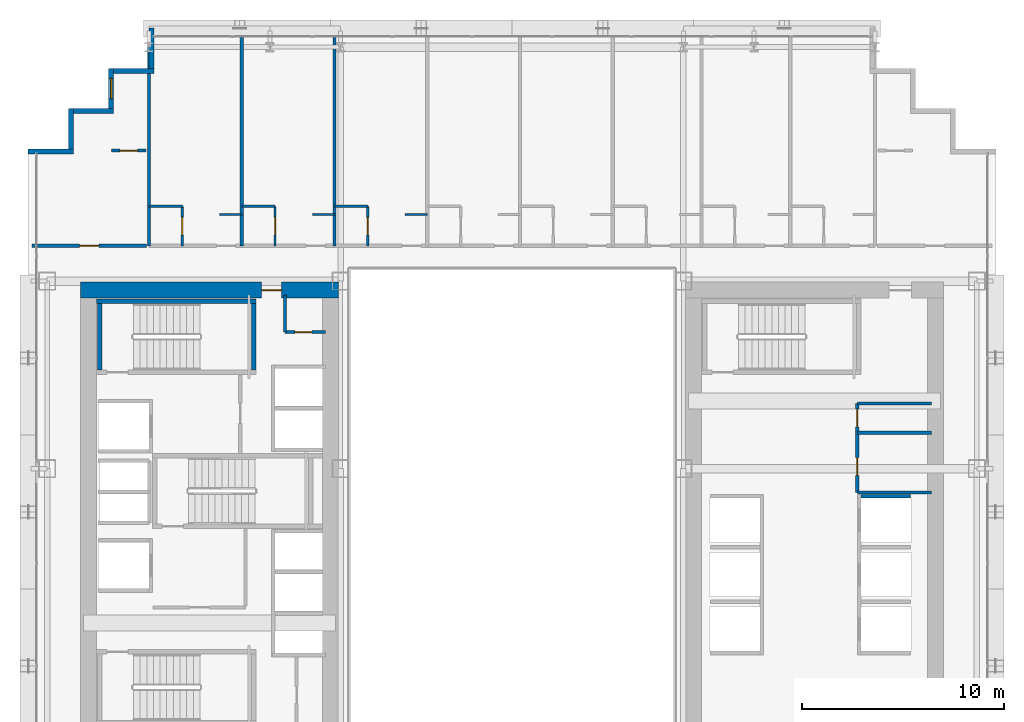
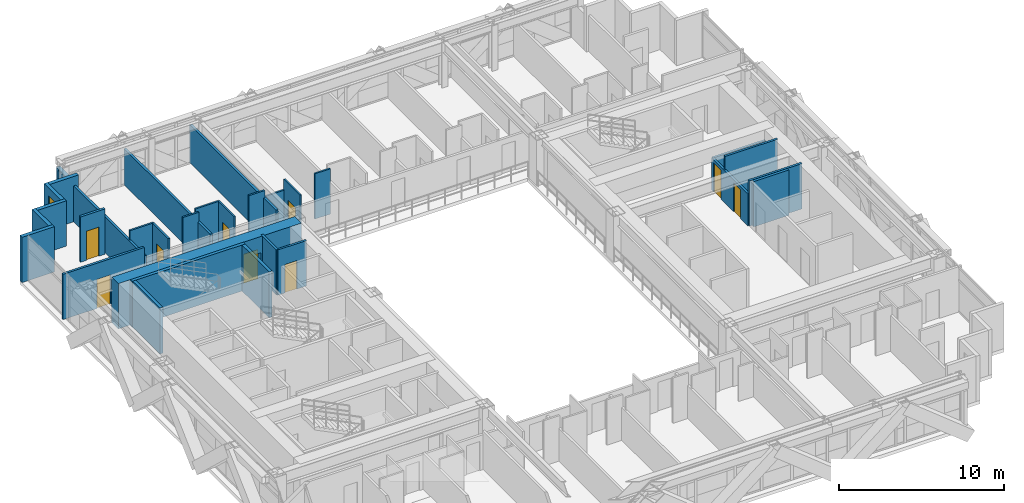
# One storey, part 30 of 36: 31 walls, 9 doors, 1 window, 10 openings.
"""IFC4 building model written with IfcOpenShell, lengths in metres."""

from ifc_helpers import new_model, si_unit, direction, frame, frame_2d, origin, place, context, subcontext, project, spatial, rectangle, extrude, source, transform, mapped, material, layer, layer_set, type_object, element, fill, save


model = new_model("IFC4")

# Units and contexts
model_context = context("Model", 3, precision=1e-05, world=origin(), true_north=direction((0.0, 1.0)))
body_context = subcontext(model_context, "Body", "Model", "MODEL_VIEW")
ifc_project = project(units=[si_unit("LENGTHUNIT", "METRE"), si_unit("AREAUNIT", "SQUARE_METRE"), si_unit("VOLUMEUNIT", "CUBIC_METRE"), si_unit("PLANEANGLEUNIT", "RADIAN"), si_unit("MASSUNIT", "GRAM", prefix="KILO")], contexts=[model_context])

# Site, building, storey
site_placement = place(None, origin())
site = spatial("IfcSite", under=ifc_project, at=site_placement, CompositionType="ELEMENT")
building_placement = place(site_placement, origin())
building = spatial("IfcBuilding", under=site, at=building_placement, Name="Ocotamira Hotel", CompositionType="ELEMENT")
storey_placement = place(building_placement, frame((0.0, 0.0, 42.0)))
storey = spatial("IfcBuildingStorey", under=building, at=storey_placement, Name="L09", CompositionType="ELEMENT", Elevation=42.0)

# Wall, opening, door
ifc_material_1 = material(Name="Concrete C60/75", Category="concrete")
ifc_layer_1 = layer(ifc_material_1, 0.800048828125)
ifc_layer_set_1 = layer_set([ifc_layer_1], Name="Concrete C60/75")
wall_type_1 = type_object("IfcWallType", Name="WL-CORE-800", PredefinedType="SHEAR", material=ifc_layer_set_1)
wall_1_placement = place(storey_placement, frame((10.60009765625, 37.0, 0.0), z_axis=(0.0, 0.0, 1.0), x_axis=(1.0, 0.0, 0.0)))
wall_1 = element("IfcWall", 1, at=wall_1_placement, inside=storey, type_object=wall_type_1, Name="L09 Shear Core Wall WCORE-N", PredefinedType="SHEAR", context=body_context, shape_type="SweptSolid", body=[
    extrude(rectangle(XDim=12.7998046875, YDim=0.800048828125, at=frame_2d((6.39990234375, 0.0))), origin(), (0.0, 0.0, 1.0), 3.35009765625),
])
opening_1_placement = place(wall_1_placement, frame((8.97998046875, 0.0, 0.0)))
opening_1 = element("IfcOpeningElement", 2, at=opening_1_placement, cuts=wall_1, Name="Opening D-FR2", PredefinedType="OPENING", context=body_context, shape_type="SweptSolid", body=[
    extrude(rectangle(XDim=1.0, YDim=2.14990234375, at=frame_2d((0.5, 1.074951171875))), frame((0.0, 0.41015625, 0.0), z_axis=(0.0, -1.0, 0.0), x_axis=(1.0, 0.0, 0.0)), (0.0, 0.0, 1.0), 0.820068359375),
])
ifc_material_2 = material(Name="Fire-rated acoustic timber-veneer door", Category="wood")
door_type_1 = type_object("IfcDoorType", Name="DR-FIRE-1000", OperationType="NOTDEFINED", PredefinedType="DOOR", material=ifc_material_2)
shared_shape_1 = source(origin(), body_context, "Body", "SweptSolid", [
    extrude(rectangle(XDim=1.0, YDim=2.14990234375, at=frame_2d((0.5, 1.074951171875))), frame((0.0, 0.02490234375, 0.0), z_axis=(0.0, -1.0, 0.0), x_axis=(1.0, 0.0, 0.0)), (0.0, 0.0, 1.0), 0.050048828125),
])
door_1_placement = place(opening_1_placement, origin())
door_1 = element("IfcDoor", 3, at=door_1_placement, inside=storey, type_object=door_type_1, Name="L09 Door ID-L09-WLOB-N-D [ID-L09-WLOB-N-D]", OperationType="SINGLE_SWING_RIGHT", OverallHeight=2.14990234375, OverallWidth=1.0, PredefinedType="DOOR", context=body_context, shape_type="MappedRepresentation", body=[
    mapped(shared_shape_1, transform((0.0, 0.0, 0.0), scale=1.0)),
])
fill(opening_1, door_1)

# Walls
ifc_material_3 = material(Name="Precast concrete C45/55", Category="concrete")
ifc_layer_2 = layer(ifc_material_3, 0.25)
ifc_layer_set_2 = layer_set([ifc_layer_2], Name="Precast concrete C45/55")
wall_type_2 = type_object("IfcWallType", Name="WL-EXT-SER-250", PredefinedType="SOLIDWALL", material=ifc_layer_set_2)
wall_2_placement = place(storey_placement, frame((14.125, 50.0, 0.0), z_axis=(0.0, 0.0, 1.0), x_axis=(0.0, -1.0, 0.0)))
element("IfcWall", 4, at=wall_2_placement, inside=storey, type_object=wall_type_2, Name="L09 Serrated Corner Wall 13", PredefinedType="SOLIDWALL", context=body_context, shape_type="SweptSolid", body=[
    extrude(rectangle(XDim=2.0, YDim=0.25, at=frame_2d((1.0, 0.0))), origin(), (0.0, 0.0, 1.0), 2.656982421875),
])
wall_3_placement = place(storey_placement, frame((14.25, 47.875, 0.0), z_axis=(0.0, 0.0, 1.0), x_axis=(-1.0, 0.0, 0.0)))
element("IfcWall", 5, at=wall_3_placement, inside=storey, type_object=wall_type_2, Name="L09 Serrated Corner Wall 14", PredefinedType="SOLIDWALL", context=body_context, shape_type="SweptSolid", body=[
    extrude(rectangle(XDim=2.0, YDim=0.25, at=frame_2d((1.0, 0.0))), origin(), (0.0, 0.0, 1.0), 3.35009765625),
])

# Wall, opening, window
wall_4_placement = place(storey_placement, frame((12.125, 48.0, 0.0), z_axis=(0.0, 0.0, 1.0), x_axis=(0.0, -1.0, 0.0)))
wall_4 = element("IfcWall", 6, at=wall_4_placement, inside=storey, type_object=wall_type_2, Name="L09 Serrated Corner Wall 15", PredefinedType="SOLIDWALL", context=body_context, shape_type="SweptSolid", body=[
    extrude(rectangle(XDim=2.0, YDim=0.25, at=frame_2d((1.0, 0.0))), origin(), (0.0, 0.0, 1.0), 3.35009765625),
])
opening_2_placement = place(wall_4_placement, frame((0.5, 0.0, 0.85009765625)))
opening_2 = element("IfcOpeningElement", 7, at=opening_2_placement, cuts=wall_4, Name="Opening WN-2", PredefinedType="OPENING", context=body_context, shape_type="SweptSolid", body=[
    extrude(rectangle(XDim=1.0, YDim=1.89990234375, at=frame_2d((0.5, 0.949951171875))), frame((0.0, 0.135009765625, 0.0), z_axis=(0.0, -1.0, 0.0), x_axis=(1.0, 0.0, 0.0)), (0.0, 0.0, 1.0), 0.27001953125),
])
ifc_material_4 = material(Name="Double-silver low-E solar glass", Category="glass")
window_type = type_object("IfcWindowType", Name="WIN-SER-1100", PartitioningType="SINGLE_PANEL", PredefinedType="WINDOW", material=ifc_material_4)
shared_shape_2 = source(origin(), body_context, "Body", "SweptSolid", [
    extrude(rectangle(XDim=1.0, YDim=1.89990234375, at=frame_2d((0.5, 0.949951171875))), frame((0.0, 0.030029296875, 0.0), z_axis=(0.0, -1.0, 0.0), x_axis=(1.0, 0.0, 0.0)), (0.0, 0.0, 1.0), 0.06005859375),
])
window_placement = place(opening_2_placement, origin())
window = element("IfcWindow", 8, at=window_placement, inside=storey, type_object=window_type, Name="L09 Serrated Corner Window 15", OverallHeight=1.89990234375, OverallWidth=1.0, PartitioningType="SINGLE_PANEL", PredefinedType="WINDOW", context=body_context, shape_type="MappedRepresentation", body=[
    mapped(shared_shape_2, transform((0.0, 0.0, 0.0), scale=1.0)),
])
fill(opening_2, window)

# Walls
for number, where, z_axis, x_axis, name in (
    (9, (12.25, 45.875, 0.0), (0.0, 0.0, 1.0), (-1.0, 0.0, 0.0), "L09 Serrated Corner Wall 16"),
    (10, (10.125, 46.0, 0.0), (0.0, 0.0, 1.0), (0.0, -1.0, 0.0), "L09 Serrated Corner Wall 17"),
):
    element("IfcWall", number, at=place(storey_placement, frame(where, z_axis=z_axis, x_axis=x_axis)), inside=storey, type_object=wall_type_2, Name=name, PredefinedType="SOLIDWALL", context=body_context, shape_type="SweptSolid", body=[
        extrude(rectangle(XDim=2.0, YDim=0.25, at=frame_2d((1.0, 0.0))), origin(), (0.0, 0.0, 1.0), 3.35009765625),
    ])
wall_5_placement = place(storey_placement, frame((10.25, 43.875, 0.0), z_axis=(0.0, 0.0, 1.0), x_axis=(-1.0, 0.0, 0.0)))
element("IfcWall", 11, at=wall_5_placement, inside=storey, type_object=wall_type_2, Name="L09 Serrated Corner Wall 18", PredefinedType="SOLIDWALL", context=body_context, shape_type="SweptSolid", body=[
    extrude(rectangle(XDim=2.25, YDim=0.25, at=frame_2d((1.125, 0.0))), origin(), (0.0, 0.0, 1.0), 3.35009765625),
])
ifc_material_5 = material(Name="Acoustic double-layer fire gypsum board partition", Category="gypsum")
ifc_layer_3 = layer(ifc_material_5, 0.159912109375)
ifc_layer_set_3 = layer_set([ifc_layer_3], Name="Acoustic double-layer fire gypsum board partition")
wall_type_3 = type_object("IfcWallType", Name="WL-FIRE-160", PredefinedType="PARTITIONING", material=ifc_layer_set_3)
wall_6_placement = place(storey_placement, frame((49.1201171875, 26.969970703125, 0.0), z_axis=(0.0, 0.0, 1.0), x_axis=(1.0, 0.0, 0.0)))
element("IfcWall", 12, at=wall_6_placement, inside=storey, type_object=wall_type_3, Name="L09 Interior Wall PW-L09-EC-NE-S", PredefinedType="PARTITIONING", context=body_context, shape_type="SweptSolid", body=[
    extrude(rectangle(XDim=3.679931640625, YDim=0.159912109375, at=frame_2d((1.83984375, 0.0))), origin(), (0.0, 0.0, 1.0), 3.35009765625),
])
wall_7_placement = place(storey_placement, frame((49.1201171875, 31.3798828125, 0.0), z_axis=(0.0, 0.0, 1.0), x_axis=(1.0, 0.0, 0.0)))
element("IfcWall", 13, at=wall_7_placement, inside=storey, type_object=wall_type_3, Name="L09 Interior Wall PW-L09-EC-NE-N", PredefinedType="PARTITIONING", context=body_context, shape_type="SweptSolid", body=[
    extrude(rectangle(XDim=3.679931640625, YDim=0.159912109375, at=frame_2d((1.83984375, 0.0))), origin(), (0.0, 0.0, 1.0), 2.360107421875),
])

# Wall, openings, doors
wall_8_placement = place(storey_placement, frame((49.1201171875, 26.969970703125, 0.0), z_axis=(0.0, 0.0, 1.0), x_axis=(0.0, 1.0, 0.0)))
wall_8 = element("IfcWall", 14, at=wall_8_placement, inside=storey, type_object=wall_type_3, Name="L09 Interior Wall PW-L09-EC-NE-W", PredefinedType="PARTITIONING", context=body_context, shape_type="SweptSolid", body=[
    extrude(rectangle(XDim=4.409912109375, YDim=0.159912109375, at=frame_2d((2.205078125, 0.0))), origin(), (0.0, 0.0, 1.0), 2.360107421875),
])
opening_3_placement = place(wall_8_placement, frame((0.85009765625, 0.0, 0.0)))
opening_3 = element("IfcOpeningElement", 15, at=opening_3_placement, cuts=wall_8, Name="Opening D-SV2", PredefinedType="OPENING", context=body_context, shape_type="SweptSolid", body=[
    extrude(rectangle(XDim=0.8798828125, YDim=2.14990234375, at=frame_2d((0.43994140625, 1.074951171875))), frame((0.0, 0.08984375, 0.0), z_axis=(0.0, -1.0, 0.0), x_axis=(1.0, 0.0, 0.0)), (0.0, 0.0, 1.0), 0.179931640625),
])
opening_4_placement = place(wall_8_placement, frame((3.25, 0.0, 0.0)))
opening_4 = element("IfcOpeningElement", 16, at=opening_4_placement, cuts=wall_8, Name="Opening D-SV2", PredefinedType="OPENING", context=body_context, shape_type="SweptSolid", body=[
    extrude(rectangle(XDim=0.8798828125, YDim=2.14990234375, at=frame_2d((0.43994140625, 1.074951171875))), frame((0.0, 0.08984375, 0.0), z_axis=(0.0, -1.0, 0.0), x_axis=(1.0, 0.0, 0.0)), (0.0, 0.0, 1.0), 0.179931640625),
])
ifc_material_6 = material(Name="Fire-rated painted steel service door", Category="steel")
door_type_2 = type_object("IfcDoorType", Name="DR-SERV-880", OperationType="NOTDEFINED", PredefinedType="DOOR", material=ifc_material_6)
shared_shape_3 = source(origin(), body_context, "Body", "SweptSolid", [
    extrude(rectangle(XDim=0.8798828125, YDim=2.14990234375, at=frame_2d((0.43994140625, 1.074951171875))), frame((0.0, 0.02490234375, 0.0), z_axis=(0.0, -1.0, 0.0), x_axis=(1.0, 0.0, 0.0)), (0.0, 0.0, 1.0), 0.050048828125),
])
door_2_placement = place(opening_3_placement, origin())
door_2 = element("IfcDoor", 17, at=door_2_placement, inside=storey, type_object=door_type_2, Name="L09 Door ID-L09-EC-NE-D1 [ID-L09-EC-NE-D1]", OperationType="SINGLE_SWING_LEFT", OverallHeight=2.14990234375, OverallWidth=0.8798828125, PredefinedType="DOOR", context=body_context, shape_type="MappedRepresentation", body=[
    mapped(shared_shape_3, transform((0.0, 0.0, 0.0), scale=1.0)),
])
fill(opening_3, door_2)
door_3_placement = place(opening_4_placement, origin())
door_3 = element("IfcDoor", 18, at=door_3_placement, inside=storey, type_object=door_type_2, Name="L09 Door ID-L09-EC-NE-D2 [ID-L09-EC-NE-D2]", OperationType="SINGLE_SWING_RIGHT", OverallHeight=2.14990234375, OverallWidth=0.8798828125, PredefinedType="DOOR", context=body_context, shape_type="MappedRepresentation", body=[
    mapped(shared_shape_3, transform((0.0, 0.0, 0.0), scale=1.0)),
])
fill(opening_4, door_3)

# Wall, opening, door
wall_9_placement = place(storey_placement, frame((8.199951171875, 39.199951171875, 0.0), z_axis=(0.0, 0.0, 1.0), x_axis=(1.0, 0.0, 0.0)))
wall_9 = element("IfcWall", 19, at=wall_9_placement, inside=storey, type_object=wall_type_3, Name="L09 Interior Wall PW-L09-Z1A-CNW-CW", PredefinedType="PARTITIONING", context=body_context, shape_type="SweptSolid", body=[
    extrude(rectangle(XDim=5.679931640625, YDim=0.159912109375, at=frame_2d((2.83984375, 0.0))), origin(), (0.0, 0.0, 1.0), 3.35009765625),
])
opening_5_placement = place(wall_9_placement, frame((2.360107421875, 0.0, 0.0)))
opening_5 = element("IfcOpeningElement", 20, at=opening_5_placement, cuts=wall_9, Name="Opening D-SV4", PredefinedType="OPENING", context=body_context, shape_type="SweptSolid", body=[
    extrude(rectangle(XDim=0.9599609375, YDim=2.14990234375, at=frame_2d((0.47998046875, 1.074951171875))), frame((0.0, 0.08984375, 0.0), z_axis=(0.0, -1.0, 0.0), x_axis=(1.0, 0.0, 0.0)), (0.0, 0.0, 1.0), 0.179931640625),
])
ifc_material_7 = material(Name="Fire-rated accessible walnut salon door", Category="wood")
door_type_3 = type_object("IfcDoorType", Name="DR-SERV-960", OperationType="NOTDEFINED", PredefinedType="DOOR", material=ifc_material_7)
shared_shape_4 = source(origin(), body_context, "Body", "SweptSolid", [
    extrude(rectangle(XDim=0.9599609375, YDim=2.14990234375, at=frame_2d((0.47998046875, 1.074951171875))), frame((0.0, 0.02490234375, 0.0), z_axis=(0.0, -1.0, 0.0), x_axis=(1.0, 0.0, 0.0)), (0.0, 0.0, 1.0), 0.050048828125),
])
door_4_placement = place(opening_5_placement, origin())
door_4 = element("IfcDoor", 21, at=door_4_placement, inside=storey, type_object=door_type_3, Name="L09 Door ID-L09-Z1A-CNW-CD [ID-L09-Z1A-CNW-CD]", OperationType="SINGLE_SWING_LEFT", OverallHeight=2.14990234375, OverallWidth=0.9599609375, PredefinedType="DOOR", context=body_context, shape_type="MappedRepresentation", body=[
    mapped(shared_shape_4, transform((0.0, 0.0, 0.0), scale=1.0)),
])
fill(opening_5, door_4)

wall_10_placement = place(storey_placement, frame((12.14990234375, 43.919921875, 0.0), z_axis=(0.0, 0.0, 1.0), x_axis=(1.0, 0.0, 0.0)))
wall_10 = element("IfcWall", 22, at=wall_10_placement, inside=storey, type_object=wall_type_3, Name="L09 Interior Wall PW-L09-Z1A-CNW2-CW", PredefinedType="PARTITIONING", context=body_context, shape_type="SweptSolid", body=[
    extrude(rectangle(XDim=1.7001953125, YDim=0.159912109375, at=frame_2d((0.85009765625, 0.0))), origin(), (0.0, 0.0, 1.0), 3.35009765625),
])
opening_6_placement = place(wall_10_placement, frame((0.409912109375, 0.0, 0.0)))
opening_6 = element("IfcOpeningElement", 23, at=opening_6_placement, cuts=wall_10, Name="Opening D-SV2", PredefinedType="OPENING", context=body_context, shape_type="SweptSolid", body=[
    extrude(rectangle(XDim=0.8798828125, YDim=2.14990234375, at=frame_2d((0.43994140625, 1.074951171875))), frame((0.0, 0.08984375, 0.0), z_axis=(0.0, -1.0, 0.0), x_axis=(1.0, 0.0, 0.0)), (0.0, 0.0, 1.0), 0.179931640625),
])
door_5_placement = place(opening_6_placement, origin())
door_5 = element("IfcDoor", 24, at=door_5_placement, inside=storey, type_object=door_type_2, Name="L09 Door ID-L09-Z1A-CNW2-CD [ID-L09-Z1A-CNW2-CD]", OperationType="SINGLE_SWING_LEFT", OverallHeight=2.14990234375, OverallWidth=0.8798828125, PredefinedType="DOOR", context=body_context, shape_type="MappedRepresentation", body=[
    mapped(shared_shape_3, transform((0.0, 0.0, 0.0), scale=1.0)),
])
fill(opening_6, door_5)

ifc_material_8 = material(Name="Moisture-resistant en-suite tile and gypsum partition", Category="gypsum")
ifc_layer_4 = layer(ifc_material_8, 0.1201171875)
ifc_layer_set_4 = layer_set([ifc_layer_4], Name="Moisture-resistant en-suite tile and gypsum partition")
wall_type_4 = type_object("IfcWallType", Name="WL-PART-120", PredefinedType="PARTITIONING", material=ifc_layer_set_4)
wall_11_placement = place(storey_placement, frame((15.64990234375, 39.199951171875, 0.0), z_axis=(0.0, 0.0, 1.0), x_axis=(0.0, 1.0, 0.0)))
wall_11 = element("IfcWall", 25, at=wall_11_placement, inside=storey, type_object=wall_type_4, Name="L09 Interior Wall PW-L09-Z1AN-BAE1", PredefinedType="PARTITIONING", context=body_context, shape_type="SweptSolid", body=[
    extrude(rectangle(XDim=1.949951171875, YDim=0.1201171875, at=frame_2d((0.97509765625, 0.0))), origin(), (0.0, 0.0, 1.0), 3.35009765625),
])
opening_7_placement = place(wall_11_placement, frame((0.544921875, 0.0, 0.0)))
opening_7 = element("IfcOpeningElement", 26, at=opening_7_placement, cuts=wall_11, Name="Opening D-BA1", PredefinedType="OPENING", context=body_context, shape_type="SweptSolid", body=[
    extrude(rectangle(XDim=0.860107421875, YDim=2.10009765625, at=frame_2d((0.43017578125, 1.050048828125))), frame((0.0, 0.070068359375, 0.0), z_axis=(0.0, -1.0, 0.0), x_axis=(1.0, 0.0, 0.0)), (0.0, 0.0, 1.0), 0.14013671875),
])
ifc_material_9 = material(Name="Moisture-sealed en-suite timber door", Category="wood")
door_type_4 = type_object("IfcDoorType", Name="DR-BATH-860", OperationType="NOTDEFINED", PredefinedType="DOOR", material=ifc_material_9)
shared_shape_5 = source(origin(), body_context, "Body", "SweptSolid", [
    extrude(rectangle(XDim=0.860107421875, YDim=2.10009765625, at=frame_2d((0.43017578125, 1.050048828125))), frame((0.0, 0.02490234375, 0.0), z_axis=(0.0, -1.0, 0.0), x_axis=(1.0, 0.0, 0.0)), (0.0, 0.0, 1.0), 0.050048828125),
])
door_6_placement = place(opening_7_placement, origin())
door_6 = element("IfcDoor", 27, at=door_6_placement, inside=storey, type_object=door_type_4, Name="L09 Door ID-L09-Z1AN-BAD1 [ID-L09-Z1AN-BAD1]", OperationType="SINGLE_SWING_RIGHT", OverallHeight=2.10009765625, OverallWidth=0.860107421875, PredefinedType="DOOR", context=body_context, shape_type="MappedRepresentation", body=[
    mapped(shared_shape_5, transform((0.0, 0.0, 0.0), scale=1.0)),
])
fill(opening_7, door_6)

# Walls
wall_12_placement = place(storey_placement, frame((14.0, 41.14990234375, 0.0), z_axis=(0.0, 0.0, 1.0), x_axis=(1.0, 0.0, 0.0)))
element("IfcWall", 28, at=wall_12_placement, inside=storey, type_object=wall_type_4, Name="L09 Interior Wall PW-L09-Z1AN-BAN1", PredefinedType="PARTITIONING", context=body_context, shape_type="SweptSolid", body=[
    extrude(rectangle(XDim=1.64990234375, YDim=0.1201171875, at=frame_2d((0.824951171875, 0.0))), origin(), (0.0, 0.0, 1.0), 3.35009765625),
])
wall_13_placement = place(storey_placement, frame((17.5, 40.75, 0.0), z_axis=(0.0, 0.0, 1.0), x_axis=(1.0, 0.0, 0.0)))
element("IfcWall", 29, at=wall_13_placement, inside=storey, type_object=wall_type_4, Name="L09 Interior Wall PW-L09-Z1AN-DRN1", PredefinedType="PARTITIONING", context=body_context, shape_type="SweptSolid", body=[
    extrude(rectangle(XDim=1.10009765625, YDim=0.1201171875, at=frame_2d((0.550048828125, 0.0))), origin(), (0.0, 0.0, 1.0), 3.35009765625),
])

# Wall, opening, door
wall_14_placement = place(storey_placement, frame((20.25, 39.199951171875, 0.0), z_axis=(0.0, 0.0, 1.0), x_axis=(0.0, 1.0, 0.0)))
wall_14 = element("IfcWall", 30, at=wall_14_placement, inside=storey, type_object=wall_type_4, Name="L09 Interior Wall PW-L09-Z1AN-BAE2", PredefinedType="PARTITIONING", context=body_context, shape_type="SweptSolid", body=[
    extrude(rectangle(XDim=1.949951171875, YDim=0.1201171875, at=frame_2d((0.97509765625, 0.0))), origin(), (0.0, 0.0, 1.0), 3.35009765625),
])
opening_8_placement = place(wall_14_placement, frame((0.544921875, 0.0, 0.0)))
opening_8 = element("IfcOpeningElement", 31, at=opening_8_placement, cuts=wall_14, Name="Opening D-BA1", PredefinedType="OPENING", context=body_context, shape_type="SweptSolid", body=[
    extrude(rectangle(XDim=0.860107421875, YDim=2.10009765625, at=frame_2d((0.43017578125, 1.050048828125))), frame((0.0, 0.070068359375, 0.0), z_axis=(0.0, -1.0, 0.0), x_axis=(1.0, 0.0, 0.0)), (0.0, 0.0, 1.0), 0.14013671875),
])
door_7_placement = place(opening_8_placement, origin())
door_7 = element("IfcDoor", 32, at=door_7_placement, inside=storey, type_object=door_type_4, Name="L09 Door ID-L09-Z1AN-BAD2 [ID-L09-Z1AN-BAD2]", OperationType="SINGLE_SWING_LEFT", OverallHeight=2.10009765625, OverallWidth=0.860107421875, PredefinedType="DOOR", context=body_context, shape_type="MappedRepresentation", body=[
    mapped(shared_shape_5, transform((0.0, 0.0, 0.0), scale=1.0)),
])
fill(opening_8, door_7)

# Walls
wall_15_placement = place(storey_placement, frame((18.60009765625, 41.14990234375, 0.0), z_axis=(0.0, 0.0, 1.0), x_axis=(1.0, 0.0, 0.0)))
element("IfcWall", 33, at=wall_15_placement, inside=storey, type_object=wall_type_4, Name="L09 Interior Wall PW-L09-Z1AN-BAN2", PredefinedType="PARTITIONING", context=body_context, shape_type="SweptSolid", body=[
    extrude(rectangle(XDim=1.64990234375, YDim=0.1201171875, at=frame_2d((0.824951171875, 0.0))), origin(), (0.0, 0.0, 1.0), 3.35009765625),
])
wall_16_placement = place(storey_placement, frame((22.10009765625, 40.75, 0.0), z_axis=(0.0, 0.0, 1.0), x_axis=(1.0, 0.0, 0.0)))
element("IfcWall", 34, at=wall_16_placement, inside=storey, type_object=wall_type_4, Name="L09 Interior Wall PW-L09-Z1AN-DRN2", PredefinedType="PARTITIONING", context=body_context, shape_type="SweptSolid", body=[
    extrude(rectangle(XDim=1.099853515625, YDim=0.1201171875, at=frame_2d((0.5498046875, 0.0))), origin(), (0.0, 0.0, 1.0), 3.35009765625),
])

# Wall, opening, door
wall_17_placement = place(storey_placement, frame((24.85009765625, 39.199951171875, 0.0), z_axis=(0.0, 0.0, 1.0), x_axis=(0.0, 1.0, 0.0)))
wall_17 = element("IfcWall", 35, at=wall_17_placement, inside=storey, type_object=wall_type_4, Name="L09 Interior Wall PW-L09-Z1AN-BAE3", PredefinedType="PARTITIONING", context=body_context, shape_type="SweptSolid", body=[
    extrude(rectangle(XDim=1.949951171875, YDim=0.1201171875, at=frame_2d((0.97509765625, 0.0))), origin(), (0.0, 0.0, 1.0), 3.35009765625),
])
opening_9_placement = place(wall_17_placement, frame((0.544921875, 0.0, 0.0)))
opening_9 = element("IfcOpeningElement", 36, at=opening_9_placement, cuts=wall_17, Name="Opening D-BA1", PredefinedType="OPENING", context=body_context, shape_type="SweptSolid", body=[
    extrude(rectangle(XDim=0.860107421875, YDim=2.10009765625, at=frame_2d((0.43017578125, 1.050048828125))), frame((0.0, 0.070068359375, 0.0), z_axis=(0.0, -1.0, 0.0), x_axis=(1.0, 0.0, 0.0)), (0.0, 0.0, 1.0), 0.14013671875),
])
door_8_placement = place(opening_9_placement, origin())
door_8 = element("IfcDoor", 37, at=door_8_placement, inside=storey, type_object=door_type_4, Name="L09 Door ID-L09-Z1AN-BAD3 [ID-L09-Z1AN-BAD3]", OperationType="SINGLE_SWING_RIGHT", OverallHeight=2.10009765625, OverallWidth=0.860107421875, PredefinedType="DOOR", context=body_context, shape_type="MappedRepresentation", body=[
    mapped(shared_shape_5, transform((0.0, 0.0, 0.0), scale=1.0)),
])
fill(opening_9, door_8)

# Walls
wall_18_placement = place(storey_placement, frame((23.199951171875, 41.14990234375, 0.0), z_axis=(0.0, 0.0, 1.0), x_axis=(1.0, 0.0, 0.0)))
element("IfcWall", 38, at=wall_18_placement, inside=storey, type_object=wall_type_4, Name="L09 Interior Wall PW-L09-Z1AN-BAN3", PredefinedType="PARTITIONING", context=body_context, shape_type="SweptSolid", body=[
    extrude(rectangle(XDim=1.650146484375, YDim=0.1201171875, at=frame_2d((0.8251953125, 0.0))), origin(), (0.0, 0.0, 1.0), 2.571044921875),
])
wall_19_placement = place(storey_placement, frame((26.699951171875, 40.75, 0.0), z_axis=(0.0, 0.0, 1.0), x_axis=(1.0, 0.0, 0.0)))
element("IfcWall", 39, at=wall_19_placement, inside=storey, type_object=wall_type_4, Name="L09 Interior Wall PW-L09-Z1AN-DRN3", PredefinedType="PARTITIONING", context=body_context, shape_type="SweptSolid", body=[
    extrude(rectangle(XDim=1.10009765625, YDim=0.1201171875, at=frame_2d((0.550048828125, 0.0))), origin(), (0.0, 0.0, 1.0), 3.35009765625),
])
ifc_material_10 = material(Name="Acoustic hospitality gypsum board partition", Category="gypsum")
ifc_layer_5 = layer(ifc_material_10, 0.14208984375)
ifc_layer_set_5 = layer_set([ifc_layer_5], Name="Acoustic hospitality gypsum board partition")
wall_type_5 = type_object("IfcWallType", Name="WL-PART-142", PredefinedType="PARTITIONING", material=ifc_layer_set_5)
wall_20_placement = place(storey_placement, frame((20.739990234375, 34.919921875, 0.0), z_axis=(0.0, 0.0, 1.0), x_axis=(0.0, 1.0, 0.0)))
element("IfcWall", 40, at=wall_20_placement, inside=storey, type_object=wall_type_5, Name="L09 Interior Wall PW-L09-WC-NE-W1", PredefinedType="PARTITIONING", context=body_context, shape_type="SweptSolid", body=[
    extrude(rectangle(XDim=1.830078125, YDim=0.14208984375, at=frame_2d((0.9150390625, 0.0))), origin(), (0.0, 0.0, 1.0), 3.35009765625),
])

# Wall, opening, door
wall_21_placement = place(storey_placement, frame((20.739990234375, 34.919921875, 0.0), z_axis=(0.0, 0.0, 1.0), x_axis=(1.0, 0.0, 0.0)))
wall_21 = element("IfcWall", 41, at=wall_21_placement, inside=storey, type_object=wall_type_5, Name="L09 Interior Wall PW-L09-WC-NE-S1", PredefinedType="PARTITIONING", context=body_context, shape_type="SweptSolid", body=[
    extrude(rectangle(XDim=2.010009765625, YDim=0.14208984375, at=frame_2d((1.0048828125, 0.0))), origin(), (0.0, 0.0, 1.0), 3.35009765625),
])
opening_10_placement = place(wall_21_placement, frame((0.5, 0.0, 0.0)))
opening_10 = element("IfcOpeningElement", 42, at=opening_10_placement, cuts=wall_21, Name="Opening D-SV1", PredefinedType="OPENING", context=body_context, shape_type="SweptSolid", body=[
    extrude(rectangle(XDim=0.840087890625, YDim=2.10009765625, at=frame_2d((0.419921875, 1.050048828125))), frame((0.0, 0.0810546875, 0.0), z_axis=(0.0, -1.0, 0.0), x_axis=(1.0, 0.0, 0.0)), (0.0, 0.0, 1.0), 0.162109375),
])
door_type_5 = type_object("IfcDoorType", Name="DR-SERV-840", OperationType="NOTDEFINED", PredefinedType="DOOR", material=ifc_material_6)
shared_shape_6 = source(origin(), body_context, "Body", "SweptSolid", [
    extrude(rectangle(XDim=0.840087890625, YDim=2.10009765625, at=frame_2d((0.419921875, 1.050048828125))), frame((0.0, 0.02490234375, 0.0), z_axis=(0.0, -1.0, 0.0), x_axis=(1.0, 0.0, 0.0)), (0.0, 0.0, 1.0), 0.050048828125),
])
door_9_placement = place(opening_10_placement, origin())
door_9 = element("IfcDoor", 43, at=door_9_placement, inside=storey, type_object=door_type_5, Name="L09 Door ID-L09-WC-NE-D1 [ID-L09-WC-NE-D1]", OperationType="SINGLE_SWING_LEFT", OverallHeight=2.10009765625, OverallWidth=0.840087890625, PredefinedType="DOOR", context=body_context, shape_type="MappedRepresentation", body=[
    mapped(shared_shape_6, transform((0.0, 0.0, 0.0), scale=1.0)),
])
fill(opening_10, door_9)

# Walls
ifc_layer_6 = layer(ifc_material_10, 0.14990234375)
ifc_layer_set_6 = layer_set([ifc_layer_6], Name="Acoustic hospitality gypsum board partition")
wall_type_6 = type_object("IfcWallType", Name="WL-PART-150", PredefinedType="PARTITIONING", material=ifc_layer_set_6)
wall_22_placement = place(storey_placement, frame((49.1201171875, 29.929931640625, 0.0), z_axis=(0.0, 0.0, 1.0), x_axis=(1.0, 0.0, 0.0)))
element("IfcWall", 44, at=wall_22_placement, inside=storey, type_object=wall_type_6, Name="L09 Interior Wall PW-L09-EC-NE-Y", PredefinedType="PARTITIONING", context=body_context, shape_type="SweptSolid", body=[
    extrude(rectangle(XDim=3.679931640625, YDim=0.14990234375, at=frame_2d((1.83984375, 0.0))), origin(), (0.0, 0.0, 1.0), 3.35009765625),
])
ifc_material_11 = material(Name="Acoustic double-stud hospitality gypsum partition", Category="gypsum")
ifc_layer_7 = layer(ifc_material_11, 0.159912109375)
ifc_layer_set_7 = layer_set([ifc_layer_7], Name="Acoustic double-stud hospitality gypsum partition")
wall_type_7 = type_object("IfcWallType", Name="WL-PART-160", PredefinedType="PARTITIONING", material=ifc_layer_set_7)
for number, where, z_axis, x_axis, name in (
    (45, (14.0, 39.199951171875, 0.0), (0.0, 0.0, 1.0), (0.0, 1.0, 0.0), "L09 Interior Wall PW-L09-Z1AN-PW0"),
    (46, (18.60009765625, 39.199951171875, 0.0), (0.0, 0.0, 1.0), (0.0, 1.0, 0.0), "L09 Interior Wall PW-L09-Z1AN-PW1"),
):
    element("IfcWall", number, at=place(storey_placement, frame(where, z_axis=z_axis, x_axis=x_axis)), inside=storey, type_object=wall_type_7, Name=name, PredefinedType="PARTITIONING", context=body_context, shape_type="SweptSolid", body=[
        extrude(rectangle(XDim=10.43994140625, YDim=0.159912109375, at=frame_2d((5.219970703125, 0.0))), origin(), (0.0, 0.0, 1.0), 2.656982421875),
    ])
wall_23_placement = place(storey_placement, frame((23.199951171875, 39.199951171875, 0.0), z_axis=(0.0, 0.0, 1.0), x_axis=(0.0, 1.0, 0.0)))
element("IfcWall", 47, at=wall_23_placement, inside=storey, type_object=wall_type_7, Name="L09 Interior Wall PW-L09-Z1AN-PW2", PredefinedType="PARTITIONING", context=body_context, shape_type="SweptSolid", body=[
    extrude(rectangle(XDim=10.43994140625, YDim=0.159912109375, at=frame_2d((5.219970703125, 0.0))), origin(), (0.0, 0.0, 1.0), 2.81298828125),
])
ifc_material_12 = material(Name="Fire-rated gypsum shaftliner board assembly", Category="gypsum")
ifc_layer_8 = layer(ifc_material_12, 0.179931640625)
ifc_layer_set_8 = layer_set([ifc_layer_8], Name="Fire-rated gypsum shaftliner board assembly")
wall_type_8 = type_object("IfcWallType", Name="WL-SHAFT-180", PredefinedType="SOLIDWALL", material=ifc_layer_set_8)
wall_24_placement = place(storey_placement, frame((49.300048828125, 26.7900390625, 0.0), z_axis=(0.0, 0.0, 1.0), x_axis=(1.0, 0.0, 0.0)))
element("IfcWall", 48, at=wall_24_placement, inside=storey, type_object=wall_type_8, Name="L09 Interior Wall PW-L09-LFW-BANK-low-N", PredefinedType="SOLIDWALL", context=body_context, shape_type="SweptSolid", body=[
    extrude(rectangle(XDim=2.449951171875, YDim=0.179931640625, at=frame_2d((1.22509765625, 0.0))), origin(), (0.0, 0.0, 1.0), 3.35009765625),
])
ifc_material_13 = material(Name="Concrete C50/60", Category="concrete")
ifc_layer_9 = layer(ifc_material_13, 0.219970703125)
ifc_layer_set_9 = layer_set([ifc_layer_9], Name="Concrete C50/60")
wall_type_9 = type_object("IfcWallType", Name="WL-STAIR-220", PredefinedType="SHEAR", material=ifc_layer_set_9)
wall_25_placement = place(storey_placement, frame((11.39990234375, 36.43994140625, 0.0), z_axis=(0.0, 0.0, 1.0), x_axis=(1.0, 0.0, 0.0)))
element("IfcWall", 49, at=wall_25_placement, inside=storey, type_object=wall_type_9, Name="L09 Stair Shaft Structural Wall ST-2-N", PredefinedType="SHEAR", context=body_context, shape_type="SweptSolid", body=[
    extrude(rectangle(XDim=7.91015625, YDim=0.219970703125, at=frame_2d((3.955078125, 0.0))), origin(), (0.0, 0.0, 1.0), 3.39990234375),
])
for number, where, z_axis, x_axis, name in (
    (50, (11.56005859375, 33.050048828125, 0.0), (0.0, 0.0, 1.0), (0.0, 1.0, 0.0), "L09 Stair Shaft Structural Wall ST-2-W"),
    (51, (19.199951171875, 33.050048828125, 0.0), (0.0, 0.0, 1.0), (0.0, 1.0, 0.0), "L09 Stair Shaft Structural Wall ST-2-E"),
):
    element("IfcWall", number, at=place(storey_placement, frame(where, z_axis=z_axis, x_axis=x_axis)), inside=storey, type_object=wall_type_9, Name=name, PredefinedType="SHEAR", context=body_context, shape_type="SweptSolid", body=[
        extrude(rectangle(XDim=3.280029296875, YDim=0.219970703125, at=frame_2d((1.64013671875, 0.0))), origin(), (0.0, 0.0, 1.0), 3.39990234375),
    ])

save(model, "model.ifc")
